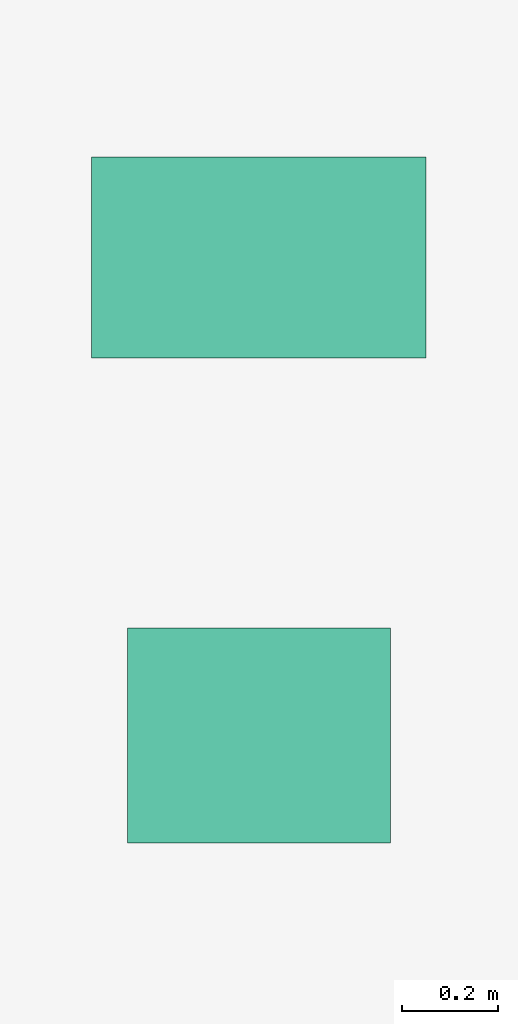
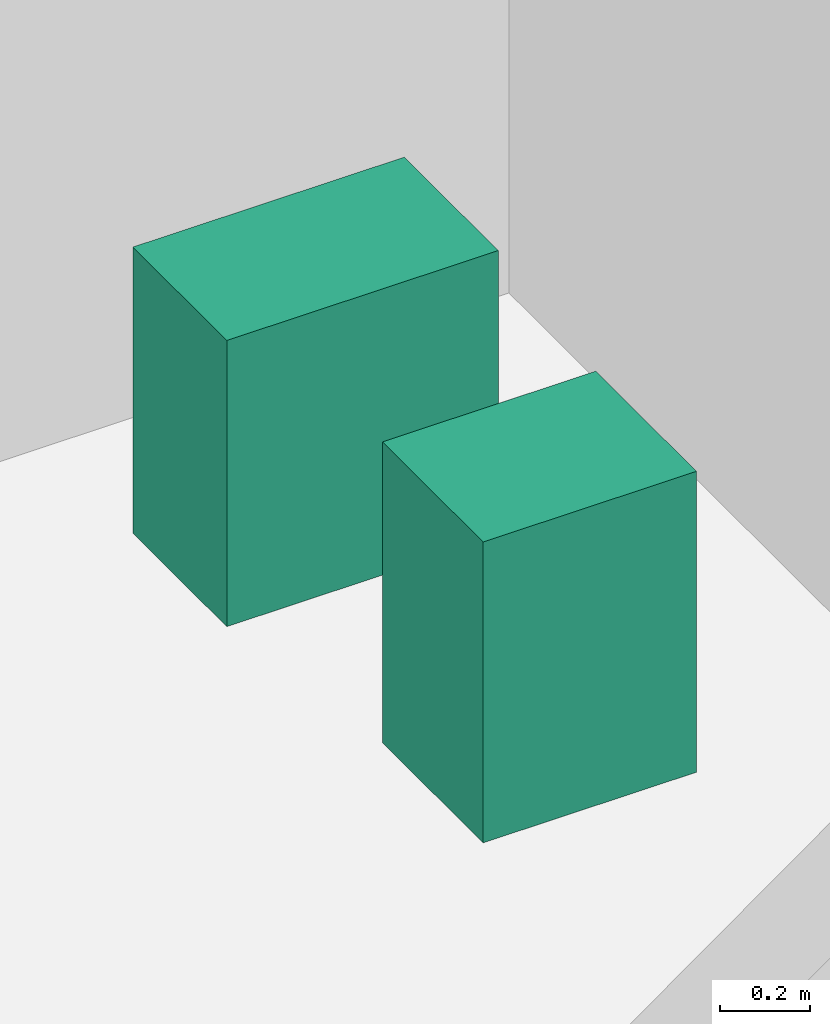
# One storey, part 28 of 28: 2 sanitary terminals.
"""IFC4 building model written with IfcOpenShell, lengths in metres."""

from ifc_helpers import new_model, si_unit, direction, frame, origin, origin_2d, place, context, subcontext, project, spatial, rectangle, extrude, source, transform, mapped, material, type_object, element, save


model = new_model("IFC4")

# Units and contexts
model_context = context("Model", 3, precision=1e-05, world=origin(), true_north=direction((0.0, 1.0)))
body_context = subcontext(model_context, "Body", "Model", "MODEL_VIEW")
ifc_project = project(units=[si_unit("LENGTHUNIT", "METRE"), si_unit("AREAUNIT", "SQUARE_METRE"), si_unit("VOLUMEUNIT", "CUBIC_METRE"), si_unit("PLANEANGLEUNIT", "RADIAN"), si_unit("MASSUNIT", "GRAM", prefix="KILO")], contexts=[model_context])

# Site, building, storey
site_placement = place(None, origin())
site = spatial("IfcSite", under=ifc_project, at=site_placement, CompositionType="ELEMENT")
building_placement = place(site_placement, origin())
building = spatial("IfcBuilding", under=site, at=building_placement, Name="Sumidabori Civic Tower", CompositionType="ELEMENT")
storey_placement = place(building_placement, frame((0.0, 0.0, 153.199951171875)))
storey = spatial("IfcBuildingStorey", under=building, at=storey_placement, Name="L39", CompositionType="ELEMENT", Elevation=153.199951171875)

# Sanitary terminals
ifc_material = material(Name="Vitreous Sanitary Porcelain")
sanitary_terminal_type_1 = type_object("IfcSanitaryTerminalType", Name="SN-WC-1", PredefinedType="TOILETPAN", material=ifc_material)
shared_shape_1 = source(origin(), body_context, "Body", "SweptSolid", [
    extrude(rectangle(XDim=0.699951171875, YDim=0.419921875, at=origin_2d()), origin(), (0.0, 0.0, 1.0), 0.780029296875),
])
sanitary_terminal_1_placement = place(storey_placement, frame((10.800048828125, 21.85009765625, 0.0), z_axis=(0.0, 0.0, 1.0), x_axis=(1.0, 0.0, 0.0)))
element("IfcSanitaryTerminal", 1, at=sanitary_terminal_1_placement, inside=storey, type_object=sanitary_terminal_type_1, Name="Accessible WC Pan L39", PredefinedType="TOILETPAN", context=body_context, shape_type="MappedRepresentation", body=[
    mapped(shared_shape_1, transform((0.0, 0.0, 0.0), x_axis=(1.0, 0.0, 0.0), y_axis=(0.0, 1.0, 0.0), z_axis=(0.0, 0.0, 1.0), scale=1.0)),
])
sanitary_terminal_type_2 = type_object("IfcSanitaryTerminalType", Name="SN-BAS-1", PredefinedType="WASHHANDBASIN", material=ifc_material)
shared_shape_2 = source(origin(), body_context, "Body", "SweptSolid", [
    extrude(rectangle(XDim=0.550048828125, YDim=0.449951171875, at=origin_2d()), origin(), (0.0, 0.0, 1.0), 0.820068359375),
])
sanitary_terminal_2_placement = place(storey_placement, frame((10.800048828125, 20.85009765625, 0.0), z_axis=(0.0, 0.0, 1.0), x_axis=(1.0, 0.0, 0.0)))
element("IfcSanitaryTerminal", 2, at=sanitary_terminal_2_placement, inside=storey, type_object=sanitary_terminal_type_2, Name="Accessible Basin L39", PredefinedType="WASHHANDBASIN", context=body_context, shape_type="MappedRepresentation", body=[
    mapped(shared_shape_2, transform((0.0, 0.0, 0.0), x_axis=(1.0, 0.0, 0.0), y_axis=(0.0, 1.0, 0.0), z_axis=(0.0, 0.0, 1.0), scale=1.0)),
])

save(model, "model.ifc")
